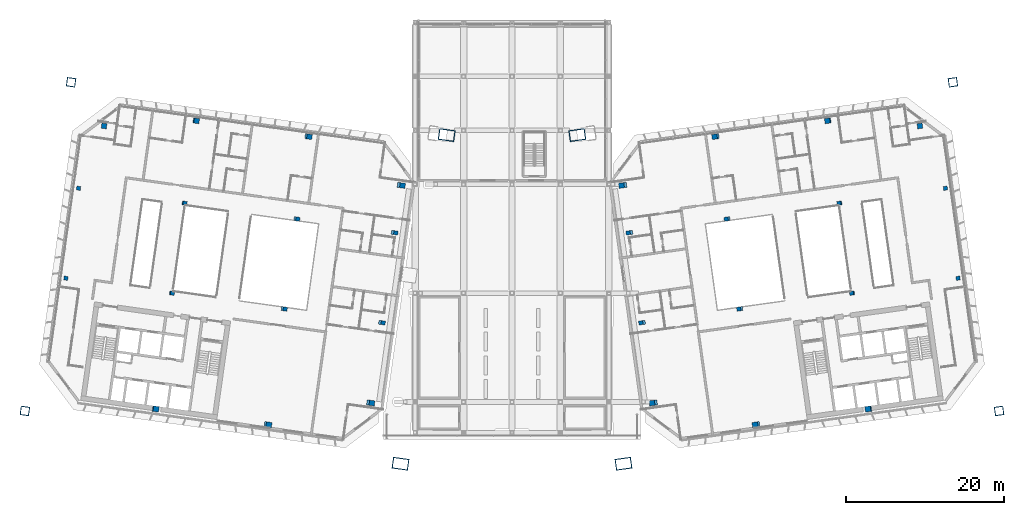
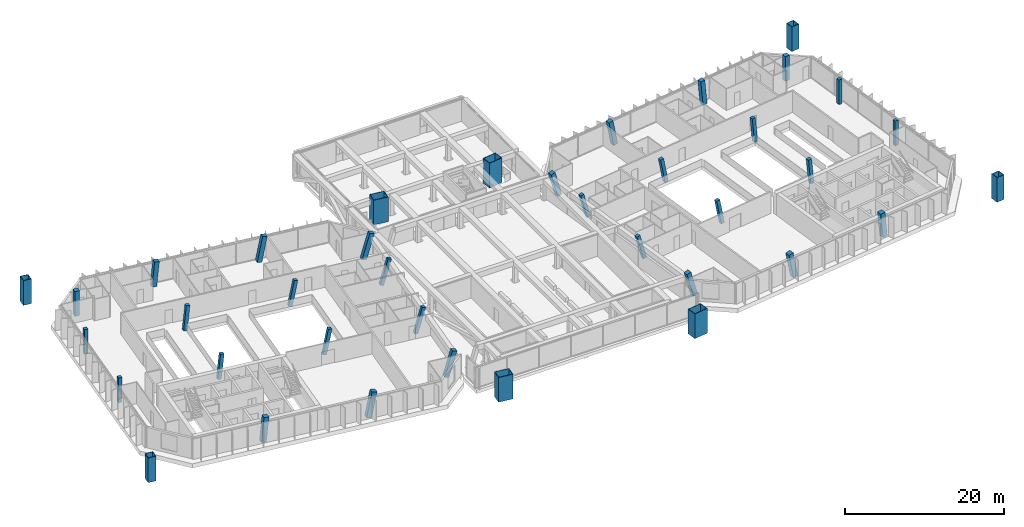
# One storey, part 1 of 25: 38 columns.
"""IFC4 building model written with IfcOpenShell, lengths in metres."""

import ifcopenshell
import ifcopenshell.guid

model = None  # the IFC model being written
_history = None  # IfcOwnerHistory: only IFC2X3 demands one
_inside = {}  # id of a spatial element -> (the spatial element, [elements in it])
_under = {}  # id of a project, library or spatial element -> (it, [spatial elements below it])
_declared = {}  # id of a project -> (the project, [libraries it declares])
_typed = {}  # id of a type object -> (the type object, [elements of that type])
_made_of = {}  # id of a material, layer set ... -> (it, [elements and type objects made of it])


def new_model(schema):
    """Start an empty IFC model of exactly this schema.

    Asked for "IFC4X3", IfcOpenShell would pick the latest addendum, in which some entities
    have other attributes; the version numbers below select the first issue.
    IFC2X3 requires an IfcOwnerHistory on every rooted entity: one is made here for all.
    """
    global model, _history
    if schema == "IFC4X3":
        model = ifcopenshell.file(schema_version=(4, 3, 0, 0))
    else:
        model = ifcopenshell.file(schema=schema)
    _inside.clear()
    _under.clear()
    _declared.clear()
    _typed.clear()
    _made_of.clear()
    _history = None
    if model.schema == "IFC2X3":
        org = make("IfcOrganization", Name="unknown")
        user = make(
            "IfcPersonAndOrganization",
            ThePerson=make("IfcPerson", FamilyName="unknown"),
            TheOrganization=org,
        )
        app = make(
            "IfcApplication",
            ApplicationDeveloper=org,
            Version="unknown",
            ApplicationFullName="unknown",
            ApplicationIdentifier="unknown",
        )
        _history = make(
            "IfcOwnerHistory",
            OwningUser=user,
            OwningApplication=app,
            ChangeAction="ADDED",
            CreationDate=0,
        )
    return model


def make(cls, **values):
    """One entity of the class cls with the attributes given. An attribute that is None is left unset."""
    return model.create_entity(
        cls, **{name: value for name, value in values.items() if value is not None}
    )


def rooted(cls, **values):
    """An entity with a GlobalId (a new one), such as an element, a storey or a relation."""
    return make(cls, GlobalId=ifcopenshell.guid.new(), OwnerHistory=_history, **values)


def si_unit(unit_type, name, prefix=None):
    """IfcSIUnit, for example si_unit("LENGTHUNIT", "METRE", prefix="MILLI")."""
    return make("IfcSIUnit", UnitType=unit_type, Prefix=prefix, Name=name)


def assignment(units):
    """IfcUnitAssignment: the units of a project."""
    return None if units is None else make("IfcUnitAssignment", Units=units)


def point(xyz):
    """IfcCartesianPoint."""
    return None if xyz is None else make("IfcCartesianPoint", Coordinates=xyz)


def direction(xyz):
    """IfcDirection."""
    return None if xyz is None else make("IfcDirection", DirectionRatios=xyz)


def frame(location, z_axis=None, x_axis=None):
    """IfcAxis2Placement3D, a coordinate frame: its origin and axes. An axis left out is left unset."""
    return make(
        "IfcAxis2Placement3D",
        Location=point(location),
        Axis=direction(z_axis),
        RefDirection=direction(x_axis),
    )


def frame_2d(location, x_axis=None):
    """IfcAxis2Placement2D, a coordinate frame in the plane: its origin and x axis."""
    return make(
        "IfcAxis2Placement2D", Location=point(location), RefDirection=direction(x_axis)
    )


def origin():
    """The frame at (0, 0, 0) with its axes left unset."""
    return frame((0.0, 0.0, 0.0))


def origin_2d():
    """The frame at (0, 0) in the plane with its x axis left unset."""
    return frame_2d((0.0, 0.0))


def place(relative_to, where):
    """IfcLocalPlacement: puts the frame where relative to a parent placement (None: the world)."""
    return make(
        "IfcLocalPlacement", PlacementRelTo=relative_to, RelativePlacement=where
    )


def context(
    kind, dimensions, precision=None, world=None, true_north=None, identifier=None
):
    """IfcGeometricRepresentationContext, for example the 3D "Model" context."""
    return make(
        "IfcGeometricRepresentationContext",
        ContextIdentifier=identifier,
        ContextType=kind,
        CoordinateSpaceDimension=dimensions,
        Precision=precision,
        WorldCoordinateSystem=world,
        TrueNorth=true_north,
    )


def subcontext(parent, identifier, kind, view, scale=None):
    """IfcGeometricRepresentationSubContext, for example "Body" below "Model"."""
    return make(
        "IfcGeometricRepresentationSubContext",
        ContextIdentifier=identifier,
        ContextType=kind,
        ParentContext=parent,
        TargetScale=scale,
        TargetView=view,
    )


def project(units=None, contexts=None):
    """IfcProject with its units and contexts."""
    return rooted(
        "IfcProject",
        Name="project",
        RepresentationContexts=contexts,
        UnitsInContext=assignment(units),
    )


def spatial(cls, under=None, at=None, **own):
    """A site, building, storey or space (cls), placed at a placement, below another one or the project."""
    s = rooted(cls, ObjectPlacement=at, **own)
    if under is not None:
        _under.setdefault(under.id(), (under, []))[1].append(s)
    return s


def profile(cls, at=None, kind="AREA", **sizes):
    """A parametric profile (cls). Its sizes go by their IFC names, for example OverallWidth=200.0."""
    return make(cls, ProfileType=kind, Position=at, **sizes)


def rectangle(**sizes):
    """IfcRectangleProfileDef."""
    return profile("IfcRectangleProfileDef", **sizes)


def hollow_rectangle(**sizes):
    """IfcRectangleHollowProfileDef."""
    return profile("IfcRectangleHollowProfileDef", **sizes)


def extrude(swept, where, along, depth):
    """IfcExtrudedAreaSolid: the profile swept, set in the frame where, extruded along a direction by depth."""
    return make(
        "IfcExtrudedAreaSolid",
        SweptArea=swept,
        Position=where,
        ExtrudedDirection=direction(along),
        Depth=depth,
    )


def shape(context_of_items, identifier, shape_type, items):
    """IfcShapeRepresentation: the items that make up one representation, for example the "Body"."""
    return make(
        "IfcShapeRepresentation",
        ContextOfItems=context_of_items,
        RepresentationIdentifier=identifier,
        RepresentationType=shape_type,
        Items=items,
    )


def material(Name=None, Category=None):
    """IfcMaterial."""
    return make("IfcMaterial", Name=Name, Category=Category)


def material_profile(
    of_material, cross_section, Name=None, Category=None, Priority=None
):
    """IfcMaterialProfile: a cross section and its material."""
    return make(
        "IfcMaterialProfile",
        Name=Name,
        Material=of_material,
        Profile=cross_section,
        Priority=Priority,
        Category=Category,
    )


def profile_set(profiles, Name=None, composite=None):
    """IfcMaterialProfileSet."""
    return make(
        "IfcMaterialProfileSet",
        Name=Name,
        MaterialProfiles=profiles,
        CompositeProfile=composite,
    )


def made_of(thing, what):
    """Note that an element or type object is made of a material, layer set ...; save() writes the relation."""
    if what is not None:
        _made_of.setdefault(what.id(), (what, []))[1].append(thing)
    return thing


def type_object(cls, material=None, **own):
    """A type object (cls), such as IfcWallType, which elements share."""
    return made_of(rooted(cls, **own), material)


def element(
    cls,
    number,
    at=None,
    inside=None,
    cuts=None,
    type_object=None,
    material=None,
    context=None,
    identifier="Body",
    shape_type=None,
    held_by="IfcProductDefinitionShape",
    body=None,
    shapes=None,
    **own,
):
    """One element of the class cls, such as IfcWall. Its Tag is "e" and its number.

    at: its placement. inside: the storey or other place that contains it. cuts: it is an
    opening in that element (IfcRelVoidsElement). A single representation is given by context,
    identifier, shape_type and body (its items); several are given by shapes. held_by: the class
    of the entity that holds the representations. save() writes the other relations.
    """
    e = rooted(cls, Tag="e%d" % number, ObjectPlacement=at, **own)
    if body is not None:
        shapes = [shape(context, identifier, shape_type, body)]
    if shapes is not None:
        e.Representation = make(held_by, Representations=shapes)
    if inside is not None:
        _inside.setdefault(inside.id(), (inside, []))[1].append(e)
    if cuts is not None:
        rooted(
            "IfcRelVoidsElement", RelatingBuildingElement=cuts, RelatedOpeningElement=e
        )
    if type_object is not None:
        _typed.setdefault(type_object.id(), (type_object, []))[1].append(e)
    return made_of(e, material)


def aggregate(whole, parts):
    """IfcRelAggregates: a whole, such as a stair, and the parts it consists of."""
    return rooted("IfcRelAggregates", RelatingObject=whole, RelatedObjects=parts)


def save(model, path):
    """Write the relations noted so far, then the file.

    IfcRelAggregates (storeys below a building ...), IfcRelContainedInSpatialStructure (elements
    in a storey), IfcRelDefinesByType, IfcRelAssociatesMaterial and IfcRelDeclares: one each for
    every whole, place, type object, material and project.
    """
    for whole, parts in _under.values():
        aggregate(whole, parts)
    for where, things in _inside.values():
        rooted(
            "IfcRelContainedInSpatialStructure",
            RelatedElements=things,
            RelatingStructure=where,
        )
    for kind, things in _typed.values():
        rooted("IfcRelDefinesByType", RelatedObjects=things, RelatingType=kind)
    for what, things in _made_of.values():
        rooted("IfcRelAssociatesMaterial", RelatedObjects=things, RelatingMaterial=what)
    for by, libraries in _declared.values():
        rooted("IfcRelDeclares", RelatingContext=by, RelatedDefinitions=libraries)
    model.write(path)


model = new_model("IFC4")

# Units and contexts
model_context = context("Model", 3, precision=1e-05, world=origin(), true_north=direction((0.0, 1.0)))
body_context = subcontext(model_context, "Body", "Model", "MODEL_VIEW")
ifc_project = project(units=[si_unit("LENGTHUNIT", "METRE"), si_unit("AREAUNIT", "SQUARE_METRE"), si_unit("VOLUMEUNIT", "CUBIC_METRE"), si_unit("PLANEANGLEUNIT", "RADIAN"), si_unit("MASSUNIT", "GRAM", prefix="KILO")], contexts=[model_context])

# Site, building, storey
site_placement = place(None, origin())
site = spatial("IfcSite", under=ifc_project, at=site_placement, CompositionType="ELEMENT")
building_placement = place(site_placement, origin())
building = spatial("IfcBuilding", under=site, at=building_placement, Name="Mirante Cascada Hotel Towers", CompositionType="ELEMENT")
storey_placement = place(building_placement, frame((0.0, 0.0, 266.0)))
storey = spatial("IfcBuildingStorey", under=building, at=storey_placement, Name="L64", CompositionType="ELEMENT", Elevation=266.0)

# Columns
ifc_material_1 = material(Name="Steel ASTM A572 Gr 50", Category="steel")
ifc_material_profile_1 = material_profile(ifc_material_1, hollow_rectangle(XDim=1.1, YDim=1.1, WallThickness=0.05, at=origin_2d()), Name="Box column 1100x1100x50 ASTM A572 Gr 50")
ifc_profile_set_1 = profile_set([ifc_material_profile_1], Name="Steel ASTM A572 Gr 50")
column_type_1 = type_object("IfcColumnType", Name="Box column 1100x1100x50 ASTM A572 Gr 50", PredefinedType="COLUMN", material=ifc_profile_set_1)
for number, where, z_axis, x_axis, name in (
    (1, (-55.7951, 22.8316, 0.0), (0.0, 0.0, 1.0), (-0.9902681, 0.1391731, 0.0), "Mega column MC3 T1 L64"),
    (2, (-61.6404, -18.7596, 0.0), (0.0, 0.0, 1.0), (-0.9902681, 0.1391731, 0.0), "Mega column MC4 T1 L64"),
    (3, (55.7951, 22.8316, 0.0), (0.0, 0.0, 1.0), (0.9902681, 0.1391731, 0.0), "Mega column MC3 T2 L64"),
    (4, (61.6404, -18.7596, 0.0), (0.0, 0.0, 1.0), (0.9902681, 0.1391731, 0.0), "Mega column MC4 T2 L64"),
):
    element("IfcColumn", number, at=place(storey_placement, frame(where, z_axis=z_axis, x_axis=x_axis)), inside=storey, type_object=column_type_1, Name=name, PredefinedType="COLUMN", context=body_context, shape_type="SweptSolid", body=[
        extrude(hollow_rectangle(XDim=1.1, YDim=1.1, WallThickness=0.05, at=origin_2d()), origin(), (0.0, 0.0, 1.0), 3.8),
    ])
ifc_material_2 = material(Name="Steel ASTM A572 Gr 50", Category="steel")
ifc_material_profile_2 = material_profile(ifc_material_2, hollow_rectangle(XDim=2.0, YDim=1.4, WallThickness=0.06, at=origin_2d()), Name="Box column 1400x2000x60 ASTM A572 Gr 50")
ifc_profile_set_2 = profile_set([ifc_material_profile_2], Name="Steel ASTM A572 Gr 50")
column_type_2 = type_object("IfcColumnType", Name="Box column 1400x2000x60 ASTM A572 Gr 50", PredefinedType="COLUMN", material=ifc_profile_set_2)
for number, where, z_axis, x_axis, name in (
    (5, (-8.2623, 16.1513, 0.0), (0.0, 0.0, 1.0), (-0.9902681, 0.1391731, 0.0), "Mega column MC1 T1 L64"),
    (6, (-14.1075, -25.4399, 0.0), (0.0, 0.0, 1.0), (-0.9902681, 0.1391731, 0.0), "Mega column MC2 T1 L64"),
    (7, (8.2623, 16.1513, 0.0), (0.0, 0.0, 1.0), (0.9902681, 0.1391731, 0.0), "Mega column MC1 T2 L64"),
    (8, (14.1075, -25.4399, 0.0), (0.0, 0.0, 1.0), (0.9902681, 0.1391731, 0.0), "Mega column MC2 T2 L64"),
):
    element("IfcColumn", number, at=place(storey_placement, frame(where, z_axis=z_axis, x_axis=x_axis)), inside=storey, type_object=column_type_2, Name=name, PredefinedType="COLUMN", context=body_context, shape_type="SweptSolid", body=[
        extrude(hollow_rectangle(XDim=2.0, YDim=1.4, WallThickness=0.06, at=origin_2d()), origin(), (0.0, 0.0, 1.0), 3.8),
    ])
ifc_material_3 = material(Name="Concrete C50/60", Category="concrete")
ifc_material_profile_3 = material_profile(ifc_material_3, rectangle(XDim=0.5, YDim=0.5, at=origin_2d()), Name="RC column 500x500 C50/60")
ifc_profile_set_3 = profile_set([ifc_material_profile_3], Name="Concrete C50/60")
column_type_3 = type_object("IfcColumnType", Name="RC column 500x500 C50/60", PredefinedType="COLUMN", material=ifc_profile_set_3)
for number, where, z_axis, x_axis, name in (
    (9, (-15.0308, 3.8234, 0.0038), (0.2691375, -0.0378356, 0.9623583), (0.1392119, 0.9902626, 0.0), "Column T1 L64 2"),
    (10, (-16.6313, -7.5647, 0.0038), (0.2691375, -0.0378356, 0.9623583), (0.1392119, 0.9902626, 0.0), "Column T1 L64 3"),
):
    element("IfcColumn", number, at=place(storey_placement, frame(where, z_axis=z_axis, x_axis=x_axis)), inside=storey, type_object=column_type_3, Name=name, PredefinedType="COLUMN", context=body_context, shape_type="SweptSolid", body=[
        extrude(rectangle(XDim=0.5, YDim=0.5, at=origin_2d()), origin(), (0.0, 0.0, 1.0), 3.9407),
    ])
for number, where, z_axis, x_axis, name in (
    (11, (-27.3321, 5.5522, 0.0039), (0.1900853, -0.0267077, 0.9814042), (0.1391371, 0.9902731, 0.0), "Column T1 L64 6"),
    (12, (-28.9326, -5.8359, 0.0039), (0.1900853, -0.0267077, 0.9814042), (0.1391371, 0.9902731, 0.0), "Column T1 L64 7"),
):
    element("IfcColumn", number, at=place(storey_placement, frame(where, z_axis=z_axis, x_axis=x_axis)), inside=storey, type_object=column_type_3, Name=name, PredefinedType="COLUMN", context=body_context, shape_type="SweptSolid", body=[
        extrude(rectangle(XDim=0.5, YDim=0.5, at=origin_2d()), origin(), (0.0, 0.0, 1.0), 3.8641),
    ])
for number, where, z_axis, x_axis, name in (
    (13, (-41.4884, 7.5417, 0.004), (0.0963758, -0.013543, 0.9952529), (0.1391557, 0.9902705, 0.0), "Column T1 L64 10"),
    (14, (-43.0889, -3.8463, 0.004), (0.0963757, -0.0135692, 0.9952525), (0.1394201, 0.9902333, 0.0), "Column T1 L64 11"),
):
    element("IfcColumn", number, at=place(storey_placement, frame(where, z_axis=z_axis, x_axis=x_axis)), inside=storey, type_object=column_type_3, Name=name, PredefinedType="COLUMN", context=body_context, shape_type="SweptSolid", body=[
        extrude(rectangle(XDim=0.5, YDim=0.5, at=origin_2d()), origin(), (0.0, 0.0, 1.0), 3.8101),
    ])
for number, where, z_axis, x_axis, name in (
    (15, (-54.8525, 9.4199, 0.0), (0.0, 0.0, 1.0), (-0.9902681, 0.1391731, 0.0), "Column T1 L64 14"),
    (16, (-56.453, -1.9681, 0.0), (0.0, 0.0, 1.0), (-0.9902681, 0.1391731, 0.0), "Column T1 L64 15"),
):
    element("IfcColumn", number, at=place(storey_placement, frame(where, z_axis=z_axis, x_axis=x_axis)), inside=storey, type_object=column_type_3, Name=name, PredefinedType="COLUMN", context=body_context, shape_type="SweptSolid", body=[
        extrude(rectangle(XDim=0.5, YDim=0.5, at=origin_2d()), origin(), (0.0, 0.0, 1.0), 3.8),
    ])
for number, where, z_axis, x_axis, name in (
    (17, (15.0308, 3.8234, 0.0038), (-0.2691375, -0.0378356, 0.9623583), (0.1392119, -0.9902626, 0.0), "Column T2 L64 2"),
    (18, (16.6313, -7.5647, 0.0038), (-0.2691375, -0.0378356, 0.9623583), (0.1392119, -0.9902626, 0.0), "Column T2 L64 3"),
):
    element("IfcColumn", number, at=place(storey_placement, frame(where, z_axis=z_axis, x_axis=x_axis)), inside=storey, type_object=column_type_3, Name=name, PredefinedType="COLUMN", context=body_context, shape_type="SweptSolid", body=[
        extrude(rectangle(XDim=0.5, YDim=0.5, at=origin_2d()), origin(), (0.0, 0.0, 1.0), 3.9407),
    ])
for number, where, z_axis, x_axis, name in (
    (19, (27.3321, 5.5522, 0.0039), (-0.1900853, -0.0267077, 0.9814042), (0.1391371, -0.9902731, 0.0), "Column T2 L64 6"),
    (20, (28.9326, -5.8359, 0.0039), (-0.1900853, -0.0267077, 0.9814042), (0.1391371, -0.9902731, 0.0), "Column T2 L64 7"),
):
    element("IfcColumn", number, at=place(storey_placement, frame(where, z_axis=z_axis, x_axis=x_axis)), inside=storey, type_object=column_type_3, Name=name, PredefinedType="COLUMN", context=body_context, shape_type="SweptSolid", body=[
        extrude(rectangle(XDim=0.5, YDim=0.5, at=origin_2d()), origin(), (0.0, 0.0, 1.0), 3.8641),
    ])
for number, where, z_axis, x_axis, name in (
    (21, (41.4884, 7.5417, 0.004), (-0.0963758, -0.013543, 0.9952529), (0.1391557, -0.9902705, 0.0), "Column T2 L64 10"),
    (22, (43.0889, -3.8463, 0.004), (-0.0963757, -0.0135692, 0.9952525), (0.1394201, -0.9902333, 0.0), "Column T2 L64 11"),
):
    element("IfcColumn", number, at=place(storey_placement, frame(where, z_axis=z_axis, x_axis=x_axis)), inside=storey, type_object=column_type_3, Name=name, PredefinedType="COLUMN", context=body_context, shape_type="SweptSolid", body=[
        extrude(rectangle(XDim=0.5, YDim=0.5, at=origin_2d()), origin(), (0.0, 0.0, 1.0), 3.8101),
    ])
for number, where, z_axis, x_axis, name in (
    (23, (54.8525, 9.4199, 0.0), (0.0, 0.0, 1.0), (0.9902681, 0.1391731, 0.0), "Column T2 L64 14"),
    (24, (56.453, -1.9681, 0.0), (0.0, 0.0, 1.0), (0.9902681, 0.1391731, 0.0), "Column T2 L64 15"),
):
    element("IfcColumn", number, at=place(storey_placement, frame(where, z_axis=z_axis, x_axis=x_axis)), inside=storey, type_object=column_type_3, Name=name, PredefinedType="COLUMN", context=body_context, shape_type="SweptSolid", body=[
        extrude(rectangle(XDim=0.5, YDim=0.5, at=origin_2d()), origin(), (0.0, 0.0, 1.0), 3.8),
    ])
ifc_material_4 = material(Name="Concrete C50/60", Category="concrete")
ifc_material_profile_4 = material_profile(ifc_material_4, rectangle(XDim=0.65, YDim=0.65, at=origin_2d()), Name="RC column 650x650 C50/60")
ifc_profile_set_4 = profile_set([ifc_material_profile_4], Name="Concrete C50/60")
column_type_4 = type_object("IfcColumnType", Name="RC column 650x650 C50/60", PredefinedType="COLUMN", material=ifc_profile_set_4)
for number, where, z_axis, x_axis, name in (
    (25, (-14.1888, 9.8145, 0.0038), (0.2691375, -0.0378356, 0.9623583), (0.1392119, 0.9902626, 0.0), "Column T1 L64 1"),
    (26, (-18.0578, -17.715, 0.0038), (0.2691378, -0.0378102, 0.9623592), (0.1391204, 0.9902755, 0.0), "Column T1 L64 4"),
):
    element("IfcColumn", number, at=place(storey_placement, frame(where, z_axis=z_axis, x_axis=x_axis)), inside=storey, type_object=column_type_4, Name=name, PredefinedType="COLUMN", context=body_context, shape_type="SweptSolid", body=[
        extrude(rectangle(XDim=0.65, YDim=0.65, at=origin_2d()), origin(), (0.0, 0.0, 1.0), 3.9407),
    ])
column_1_placement = place(storey_placement, frame((-25.8673, 15.9748, 0.0039), z_axis=(0.1900852, -0.0267336, 0.9814036), x_axis=(0.1392693, 0.9902545, 0.0)))
element("IfcColumn", 27, at=column_1_placement, inside=storey, type_object=column_type_4, Name="Column T1 L64 5", PredefinedType="COLUMN", context=body_context, shape_type="SweptSolid", body=[
    extrude(rectangle(XDim=0.65, YDim=0.65, at=origin_2d()), origin(), (0.0, 0.0, 1.0), 3.8641),
])
column_2_placement = place(storey_placement, frame((-40.0236, 17.9643, 0.004), z_axis=(0.0963866, -0.0135419, 0.9952518), x_axis=(0.1391294, 0.9902742, 0.0)))
element("IfcColumn", 28, at=column_2_placement, inside=storey, type_object=column_type_4, Name="Column T1 L64 9", PredefinedType="COLUMN", context=body_context, shape_type="SweptSolid", body=[
    extrude(rectangle(XDim=0.65, YDim=0.65, at=origin_2d()), origin(), (0.0, 0.0, 1.0), 3.7661),
])
column_3_placement = place(storey_placement, frame((-51.6248, 17.2974, 0.0), z_axis=(0.0, 0.0, 1.0), x_axis=(-0.9902681, 0.1391731, 0.0)))
element("IfcColumn", 29, at=column_3_placement, inside=storey, type_object=column_type_4, Name="Column T1 L64 13", PredefinedType="COLUMN", context=body_context, shape_type="SweptSolid", body=[
    extrude(rectangle(XDim=0.65, YDim=0.65, at=origin_2d()), origin(), (0.0, 0.0, 1.0), 3.8),
])
for number, where, z_axis, x_axis, name in (
    (30, (14.1888, 9.8145, 0.0038), (-0.2691375, -0.0378356, 0.9623583), (0.1392119, -0.9902626, 0.0), "Column T2 L64 1"),
    (31, (18.0578, -17.715, 0.0038), (-0.2691378, -0.0378102, 0.9623592), (0.1391204, -0.9902755, 0.0), "Column T2 L64 4"),
):
    element("IfcColumn", number, at=place(storey_placement, frame(where, z_axis=z_axis, x_axis=x_axis)), inside=storey, type_object=column_type_4, Name=name, PredefinedType="COLUMN", context=body_context, shape_type="SweptSolid", body=[
        extrude(rectangle(XDim=0.65, YDim=0.65, at=origin_2d()), origin(), (0.0, 0.0, 1.0), 3.9407),
    ])
column_4_placement = place(storey_placement, frame((25.8673, 15.9748, 0.0039), z_axis=(-0.1900852, -0.0267336, 0.9814036), x_axis=(0.1392693, -0.9902545, 0.0)))
element("IfcColumn", 32, at=column_4_placement, inside=storey, type_object=column_type_4, Name="Column T2 L64 5", PredefinedType="COLUMN", context=body_context, shape_type="SweptSolid", body=[
    extrude(rectangle(XDim=0.65, YDim=0.65, at=origin_2d()), origin(), (0.0, 0.0, 1.0), 3.8641),
])
column_5_placement = place(storey_placement, frame((40.0236, 17.9643, 0.004), z_axis=(-0.0963866, -0.0135419, 0.9952518), x_axis=(0.1391294, -0.9902742, 0.0)))
element("IfcColumn", 33, at=column_5_placement, inside=storey, type_object=column_type_4, Name="Column T2 L64 9", PredefinedType="COLUMN", context=body_context, shape_type="SweptSolid", body=[
    extrude(rectangle(XDim=0.65, YDim=0.65, at=origin_2d()), origin(), (0.0, 0.0, 1.0), 3.7661),
])
column_6_placement = place(storey_placement, frame((51.6248, 17.2974, 0.0), z_axis=(0.0, 0.0, 1.0), x_axis=(0.9902681, 0.1391731, 0.0)))
element("IfcColumn", 34, at=column_6_placement, inside=storey, type_object=column_type_4, Name="Column T2 L64 13", PredefinedType="COLUMN", context=body_context, shape_type="SweptSolid", body=[
    extrude(rectangle(XDim=0.65, YDim=0.65, at=origin_2d()), origin(), (0.0, 0.0, 1.0), 3.8),
])
ifc_material_5 = material(Name="Concrete C50/60", Category="concrete")
ifc_material_profile_5 = material_profile(ifc_material_5, rectangle(XDim=0.7, YDim=0.7, at=origin_2d()), Name="RC column 700x700 C50/60")
ifc_profile_set_5 = profile_set([ifc_material_profile_5], Name="Concrete C50/60")
column_type_5 = type_object("IfcColumnType", Name="RC column 700x700 C50/60", PredefinedType="COLUMN", material=ifc_profile_set_5)
column_7_placement = place(storey_placement, frame((-30.9923, -20.4919, 0.0039), z_axis=(0.1900603, -0.0267078, 0.9814091), x_axis=(0.1391557, 0.9902705, 0.0)))
element("IfcColumn", 35, at=column_7_placement, inside=storey, type_object=column_type_5, Name="Column T1 L64 8", PredefinedType="COLUMN", context=body_context, shape_type="SweptSolid", body=[
    extrude(rectangle(XDim=0.7, YDim=0.7, at=origin_2d()), origin(), (0.0, 0.0, 1.0), 3.864),
])
column_8_placement = place(storey_placement, frame((-45.1486, -18.5023, 0.004), z_axis=(0.0963595, -0.0135456, 0.9952544), x_axis=(0.1392046, 0.9902636, 0.0)))
element("IfcColumn", 36, at=column_8_placement, inside=storey, type_object=column_type_5, Name="Column T1 L64 12", PredefinedType="COLUMN", context=body_context, shape_type="SweptSolid", body=[
    extrude(rectangle(XDim=0.7, YDim=0.7, at=origin_2d()), origin(), (0.0, 0.0, 1.0), 3.7651),
])
column_9_placement = place(storey_placement, frame((30.9923, -20.4919, 0.0039), z_axis=(-0.1900603, -0.0267078, 0.9814091), x_axis=(0.1391557, -0.9902705, 0.0)))
element("IfcColumn", 37, at=column_9_placement, inside=storey, type_object=column_type_5, Name="Column T2 L64 8", PredefinedType="COLUMN", context=body_context, shape_type="SweptSolid", body=[
    extrude(rectangle(XDim=0.7, YDim=0.7, at=origin_2d()), origin(), (0.0, 0.0, 1.0), 3.864),
])
column_10_placement = place(storey_placement, frame((45.1486, -18.5023, 0.004), z_axis=(-0.0963595, -0.0135456, 0.9952544), x_axis=(0.1392046, -0.9902636, 0.0)))
element("IfcColumn", 38, at=column_10_placement, inside=storey, type_object=column_type_5, Name="Column T2 L64 12", PredefinedType="COLUMN", context=body_context, shape_type="SweptSolid", body=[
    extrude(rectangle(XDim=0.7, YDim=0.7, at=origin_2d()), origin(), (0.0, 0.0, 1.0), 3.7651),
])

save(model, "model.ifc")
